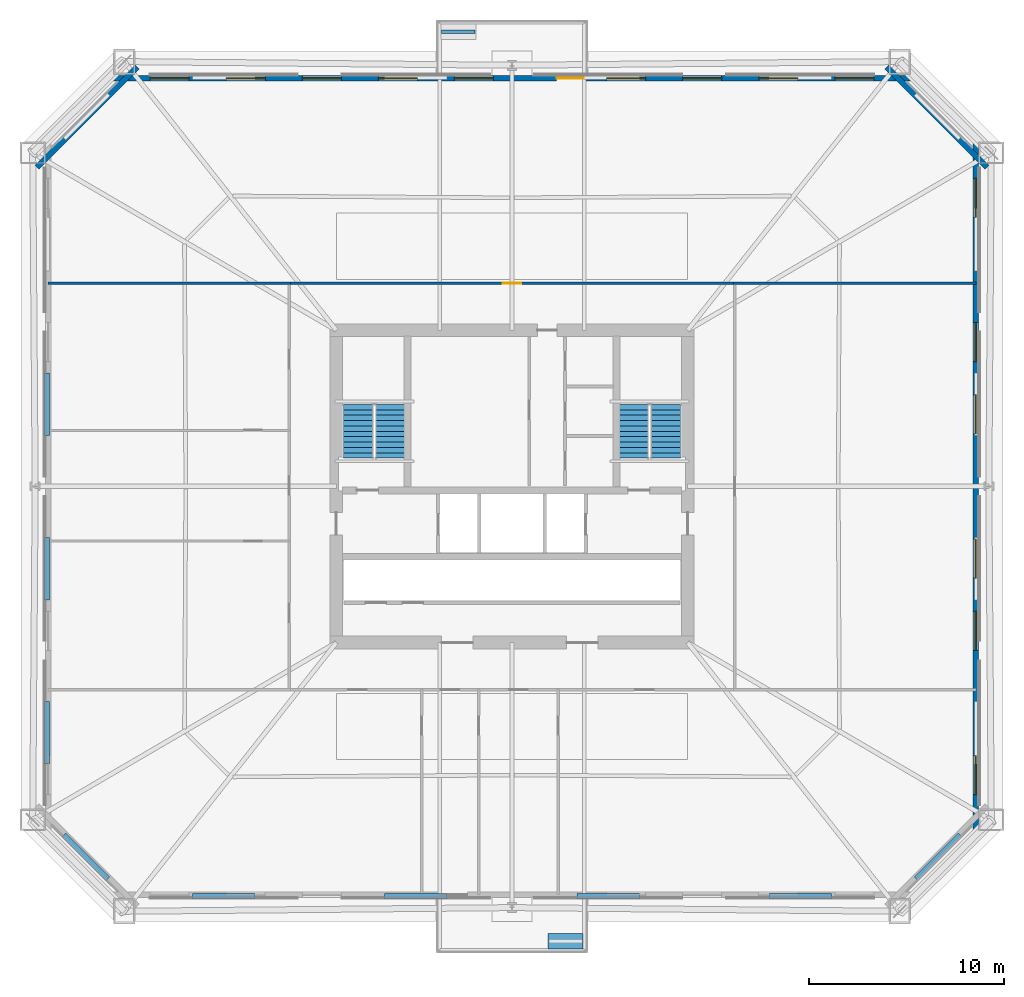
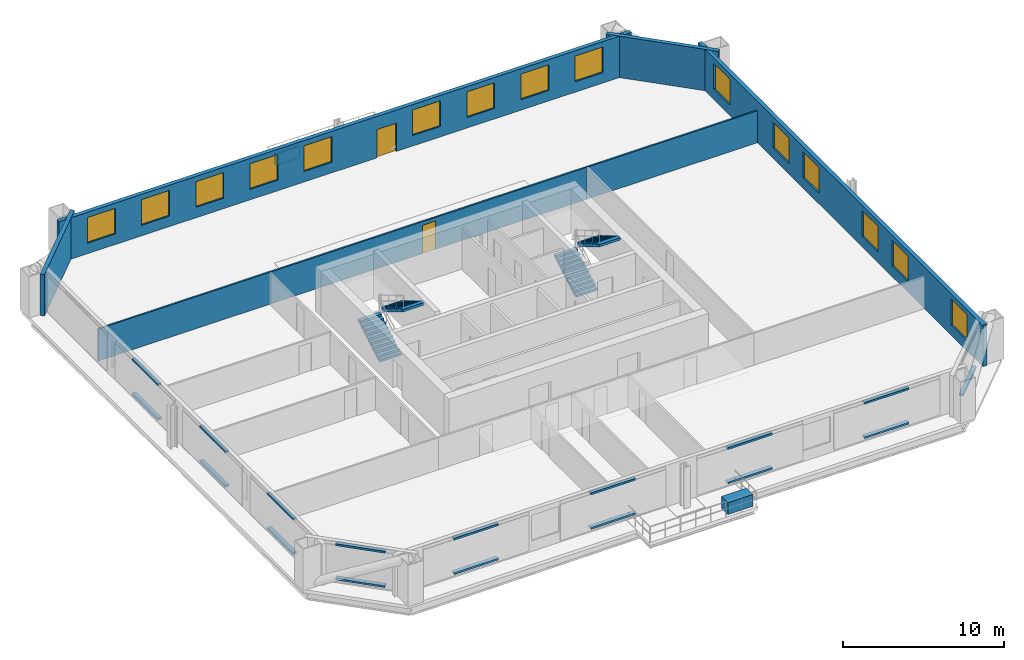
# One storey, part 5 of 8: 18 discrete accessories, 15 windows, 8 walls, 4 stair flights, 2 doors, 17 openings, 2 elements without a shape of their own.
"""IFC4 building model written with IfcOpenShell, lengths in metres."""

import ifcopenshell
import ifcopenshell.guid

model = None  # the IFC model being written
_history = None  # IfcOwnerHistory: only IFC2X3 demands one
_inside = {}  # id of a spatial element -> (the spatial element, [elements in it])
_under = {}  # id of a project, library or spatial element -> (it, [spatial elements below it])
_declared = {}  # id of a project -> (the project, [libraries it declares])
_typed = {}  # id of a type object -> (the type object, [elements of that type])
_made_of = {}  # id of a material, layer set ... -> (it, [elements and type objects made of it])


def new_model(schema):
    """Start an empty IFC model of exactly this schema.

    Asked for "IFC4X3", IfcOpenShell would pick the latest addendum, in which some entities
    have other attributes; the version numbers below select the first issue.
    IFC2X3 requires an IfcOwnerHistory on every rooted entity: one is made here for all.
    """
    global model, _history
    if schema == "IFC4X3":
        model = ifcopenshell.file(schema_version=(4, 3, 0, 0))
    else:
        model = ifcopenshell.file(schema=schema)
    _inside.clear()
    _under.clear()
    _declared.clear()
    _typed.clear()
    _made_of.clear()
    _history = None
    if model.schema == "IFC2X3":
        org = make("IfcOrganization", Name="unknown")
        user = make(
            "IfcPersonAndOrganization",
            ThePerson=make("IfcPerson", FamilyName="unknown"),
            TheOrganization=org,
        )
        app = make(
            "IfcApplication",
            ApplicationDeveloper=org,
            Version="unknown",
            ApplicationFullName="unknown",
            ApplicationIdentifier="unknown",
        )
        _history = make(
            "IfcOwnerHistory",
            OwningUser=user,
            OwningApplication=app,
            ChangeAction="ADDED",
            CreationDate=0,
        )
    return model


def make(cls, **values):
    """One entity of the class cls with the attributes given. An attribute that is None is left unset."""
    return model.create_entity(
        cls, **{name: value for name, value in values.items() if value is not None}
    )


def rooted(cls, **values):
    """An entity with a GlobalId (a new one), such as an element, a storey or a relation."""
    return make(cls, GlobalId=ifcopenshell.guid.new(), OwnerHistory=_history, **values)


def si_unit(unit_type, name, prefix=None):
    """IfcSIUnit, for example si_unit("LENGTHUNIT", "METRE", prefix="MILLI")."""
    return make("IfcSIUnit", UnitType=unit_type, Prefix=prefix, Name=name)


def assignment(units):
    """IfcUnitAssignment: the units of a project."""
    return None if units is None else make("IfcUnitAssignment", Units=units)


def point(xyz):
    """IfcCartesianPoint."""
    return None if xyz is None else make("IfcCartesianPoint", Coordinates=xyz)


def direction(xyz):
    """IfcDirection."""
    return None if xyz is None else make("IfcDirection", DirectionRatios=xyz)


def frame(location, z_axis=None, x_axis=None):
    """IfcAxis2Placement3D, a coordinate frame: its origin and axes. An axis left out is left unset."""
    return make(
        "IfcAxis2Placement3D",
        Location=point(location),
        Axis=direction(z_axis),
        RefDirection=direction(x_axis),
    )


def frame_2d(location, x_axis=None):
    """IfcAxis2Placement2D, a coordinate frame in the plane: its origin and x axis."""
    return make(
        "IfcAxis2Placement2D", Location=point(location), RefDirection=direction(x_axis)
    )


def origin():
    """The frame at (0, 0, 0) with its axes left unset."""
    return frame((0.0, 0.0, 0.0))


def origin_2d():
    """The frame at (0, 0) in the plane with its x axis left unset."""
    return frame_2d((0.0, 0.0))


def place(relative_to, where):
    """IfcLocalPlacement: puts the frame where relative to a parent placement (None: the world)."""
    return make(
        "IfcLocalPlacement", PlacementRelTo=relative_to, RelativePlacement=where
    )


def context(
    kind, dimensions, precision=None, world=None, true_north=None, identifier=None
):
    """IfcGeometricRepresentationContext, for example the 3D "Model" context."""
    return make(
        "IfcGeometricRepresentationContext",
        ContextIdentifier=identifier,
        ContextType=kind,
        CoordinateSpaceDimension=dimensions,
        Precision=precision,
        WorldCoordinateSystem=world,
        TrueNorth=true_north,
    )


def subcontext(parent, identifier, kind, view, scale=None):
    """IfcGeometricRepresentationSubContext, for example "Body" below "Model"."""
    return make(
        "IfcGeometricRepresentationSubContext",
        ContextIdentifier=identifier,
        ContextType=kind,
        ParentContext=parent,
        TargetScale=scale,
        TargetView=view,
    )


def project(units=None, contexts=None):
    """IfcProject with its units and contexts."""
    return rooted(
        "IfcProject",
        Name="project",
        RepresentationContexts=contexts,
        UnitsInContext=assignment(units),
    )


def spatial(cls, under=None, at=None, **own):
    """A site, building, storey or space (cls), placed at a placement, below another one or the project."""
    s = rooted(cls, ObjectPlacement=at, **own)
    if under is not None:
        _under.setdefault(under.id(), (under, []))[1].append(s)
    return s


def polyline(points):
    """IfcPolyline through the points."""
    return make("IfcPolyline", Points=[point(p) for p in points])


def profile(cls, at=None, kind="AREA", **sizes):
    """A parametric profile (cls). Its sizes go by their IFC names, for example OverallWidth=200.0."""
    return make(cls, ProfileType=kind, Position=at, **sizes)


def rectangle(**sizes):
    """IfcRectangleProfileDef."""
    return profile("IfcRectangleProfileDef", **sizes)


def outline(outer, holes=None, kind="AREA"):
    """IfcArbitraryClosedProfileDef: a profile drawn as a closed curve; with holes, ...WithVoids."""
    if holes is None:
        return make("IfcArbitraryClosedProfileDef", ProfileType=kind, OuterCurve=outer)
    return make(
        "IfcArbitraryProfileDefWithVoids",
        ProfileType=kind,
        OuterCurve=outer,
        InnerCurves=holes,
    )


def extrude(swept, where, along, depth):
    """IfcExtrudedAreaSolid: the profile swept, set in the frame where, extruded along a direction by depth."""
    return make(
        "IfcExtrudedAreaSolid",
        SweptArea=swept,
        Position=where,
        ExtrudedDirection=direction(along),
        Depth=depth,
    )


def shape(context_of_items, identifier, shape_type, items):
    """IfcShapeRepresentation: the items that make up one representation, for example the "Body"."""
    return make(
        "IfcShapeRepresentation",
        ContextOfItems=context_of_items,
        RepresentationIdentifier=identifier,
        RepresentationType=shape_type,
        Items=items,
    )


def material(Name=None, Category=None):
    """IfcMaterial."""
    return make("IfcMaterial", Name=Name, Category=Category)


def layer(
    of_material, thickness, ventilated=None, Name=None, Category=None, Priority=None
):
    """IfcMaterialLayer: one layer of a wall or slab, of a material (None: an air gap)."""
    return make(
        "IfcMaterialLayer",
        Material=of_material,
        LayerThickness=thickness,
        IsVentilated=ventilated,
        Name=Name,
        Category=Category,
        Priority=Priority,
    )


def layer_set(layers, Name=None):
    """IfcMaterialLayerSet."""
    return make("IfcMaterialLayerSet", MaterialLayers=layers, LayerSetName=Name)


def made_of(thing, what):
    """Note that an element or type object is made of a material, layer set ...; save() writes the relation."""
    if what is not None:
        _made_of.setdefault(what.id(), (what, []))[1].append(thing)
    return thing


def type_object(cls, material=None, **own):
    """A type object (cls), such as IfcWallType, which elements share."""
    return made_of(rooted(cls, **own), material)


def element(
    cls,
    number,
    at=None,
    inside=None,
    cuts=None,
    type_object=None,
    material=None,
    context=None,
    identifier="Body",
    shape_type=None,
    held_by="IfcProductDefinitionShape",
    body=None,
    shapes=None,
    **own,
):
    """One element of the class cls, such as IfcWall. Its Tag is "e" and its number.

    at: its placement. inside: the storey or other place that contains it. cuts: it is an
    opening in that element (IfcRelVoidsElement). A single representation is given by context,
    identifier, shape_type and body (its items); several are given by shapes. held_by: the class
    of the entity that holds the representations. save() writes the other relations.
    """
    e = rooted(cls, Tag="e%d" % number, ObjectPlacement=at, **own)
    if body is not None:
        shapes = [shape(context, identifier, shape_type, body)]
    if shapes is not None:
        e.Representation = make(held_by, Representations=shapes)
    if inside is not None:
        _inside.setdefault(inside.id(), (inside, []))[1].append(e)
    if cuts is not None:
        rooted(
            "IfcRelVoidsElement", RelatingBuildingElement=cuts, RelatedOpeningElement=e
        )
    if type_object is not None:
        _typed.setdefault(type_object.id(), (type_object, []))[1].append(e)
    return made_of(e, material)


def fill(opening, filler):
    """IfcRelFillsElement: the door or window that sits in an opening."""
    return rooted(
        "IfcRelFillsElement",
        RelatingOpeningElement=opening,
        RelatedBuildingElement=filler,
    )


def aggregate(whole, parts):
    """IfcRelAggregates: a whole, such as a stair, and the parts it consists of."""
    return rooted("IfcRelAggregates", RelatingObject=whole, RelatedObjects=parts)


def save(model, path):
    """Write the relations noted so far, then the file.

    IfcRelAggregates (storeys below a building ...), IfcRelContainedInSpatialStructure (elements
    in a storey), IfcRelDefinesByType, IfcRelAssociatesMaterial and IfcRelDeclares: one each for
    every whole, place, type object, material and project.
    """
    for whole, parts in _under.values():
        aggregate(whole, parts)
    for where, things in _inside.values():
        rooted(
            "IfcRelContainedInSpatialStructure",
            RelatedElements=things,
            RelatingStructure=where,
        )
    for kind, things in _typed.values():
        rooted("IfcRelDefinesByType", RelatedObjects=things, RelatingType=kind)
    for what, things in _made_of.values():
        rooted("IfcRelAssociatesMaterial", RelatedObjects=things, RelatingMaterial=what)
    for by, libraries in _declared.values():
        rooted("IfcRelDeclares", RelatingContext=by, RelatedDefinitions=libraries)
    model.write(path)


model = new_model("IFC4")

# Units and contexts
model_context = context("Model", 3, precision=1e-05, world=origin(), true_north=direction((0.0, 1.0)))
body_context = subcontext(model_context, "Body", "Model", "MODEL_VIEW")
ifc_project = project(units=[si_unit("LENGTHUNIT", "METRE"), si_unit("AREAUNIT", "SQUARE_METRE"), si_unit("VOLUMEUNIT", "CUBIC_METRE"), si_unit("PLANEANGLEUNIT", "RADIAN"), si_unit("MASSUNIT", "GRAM", prefix="KILO")], contexts=[model_context])

# Site, building, storey
site_placement = place(None, origin())
site = spatial("IfcSite", under=ifc_project, at=site_placement, CompositionType="ELEMENT")
building_placement = place(site_placement, origin())
building = spatial("IfcBuilding", under=site, at=building_placement, Name="Caelvoria Tower", CompositionType="ELEMENT")
storey_placement = place(building_placement, frame((0.0, 0.0, 42.39990234375)))
storey = spatial("IfcBuildingStorey", under=building, at=storey_placement, Name="L10", CompositionType="ELEMENT", Elevation=42.39990234375)

# Wall
ifc_material_1 = material(Name="Bronze-Clad Concrete C40/50", Category="concrete")
ifc_layer_1 = layer(ifc_material_1, 0.179931640625, Name="Bronze-Clad Concrete C40/50")
ifc_layer_set_1 = layer_set([ifc_layer_1], Name="Architectural Planter Kerb Wall 180 - Bronze-Clad Concrete C40/50")
wall_type_1 = type_object("IfcWallType", Name="Architectural Planter Kerb Wall 180", PredefinedType="PARAPET", material=ifc_layer_set_1)
wall_1_placement = place(storey_placement, frame((42.39990234375, 55.300048828125, 0.0), z_axis=(0.0, 0.0, 1.0), x_axis=(1.0, 0.0, 0.0)))
element("IfcWall", 1, at=wall_1_placement, inside=storey, type_object=wall_type_1, Name="Tree Balcony Planter Kerb PLANTER TB-L10-N", PredefinedType="PARAPET", context=body_context, shape_type="SweptSolid", body=[
    extrude(rectangle(XDim=1.7001953125, YDim=0.179931640625, at=frame_2d((0.85009765625, 0.0))), origin(), (0.0, 0.0, 1.0), 0.880126953125),
])

# Wall, openings, windows
ifc_material_2 = material(Name="Precast Concrete C40/50 with Bronze Cladding", Category="concrete")
ifc_layer_2 = layer(ifc_material_2, 0.280029296875, Name="Precast Concrete C40/50 with Bronze Cladding")
ifc_layer_set_2 = layer_set([ifc_layer_2], Name="Exterior Precast Concrete C40/50 Bronze-Clad Facade Wall 280 - Precast Concrete C40/50 with Bronze Cladding")
wall_type_2 = type_object("IfcWallType", Name="Exterior Precast Concrete C40/50 Bronze-Clad Facade Wall 280", PredefinedType="STANDARD", material=ifc_layer_set_2)
wall_2_placement = place(storey_placement, frame((69.77001953125, 14.260009765625, 0.0), z_axis=(0.0, 0.0, 1.0), x_axis=(0.0, 1.0, 0.0)))
wall_2 = element("IfcWall", 2, at=wall_2_placement, inside=storey, type_object=wall_type_2, Name="Exterior Facade Wall L10-E2", PredefinedType="STANDARD", context=body_context, shape_type="SweptSolid", body=[
    extrude(rectangle(XDim=35.47998046875, YDim=0.280029296875, at=frame_2d((17.739990234375, 0.0))), origin(), (0.0, 0.0, 1.0), 3.150146484375),
])
opening_1_placement = place(wall_2_placement, frame((1.948974609375, 0.0, 0.800048828125)))
opening_1 = element("IfcOpeningElement", 3, at=opening_1_placement, cuts=wall_2, Name="Opening WN-01", PredefinedType="OPENING", context=body_context, shape_type="SweptSolid", body=[
    extrude(rectangle(XDim=2.0, YDim=1.949951171875, at=frame_2d((1.0, 0.97509765625))), frame((0.0, 0.14990234375, 0.0), z_axis=(0.0, -1.0, 0.0), x_axis=(1.0, 0.0, 0.0)), (0.0, 0.0, 1.0), 0.300048828125),
])
opening_2_placement = place(wall_2_placement, frame((9.344482421875, 0.0, 0.800048828125)))
opening_2 = element("IfcOpeningElement", 4, at=opening_2_placement, cuts=wall_2, Name="Opening WN-01", PredefinedType="OPENING", context=body_context, shape_type="SweptSolid", body=[
    extrude(rectangle(XDim=2.0, YDim=1.949951171875, at=frame_2d((1.0, 0.97509765625))), frame((0.0, 0.14990234375, 0.0), z_axis=(0.0, -1.0, 0.0), x_axis=(1.0, 0.0, 0.0)), (0.0, 0.0, 1.0), 0.300048828125),
])
opening_3_placement = place(wall_2_placement, frame((13.042236328125, 0.0, 0.800048828125)))
opening_3 = element("IfcOpeningElement", 5, at=opening_3_placement, cuts=wall_2, Name="Opening WN-01", PredefinedType="OPENING", context=body_context, shape_type="SweptSolid", body=[
    extrude(rectangle(XDim=2.0, YDim=1.949951171875, at=frame_2d((1.0, 0.97509765625))), frame((0.0, 0.14990234375, 0.0), z_axis=(0.0, -1.0, 0.0), x_axis=(1.0, 0.0, 0.0)), (0.0, 0.0, 1.0), 0.300048828125),
])
opening_4_placement = place(wall_2_placement, frame((20.437744140625, 0.0, 0.800048828125)))
opening_4 = element("IfcOpeningElement", 6, at=opening_4_placement, cuts=wall_2, Name="Opening WN-01", PredefinedType="OPENING", context=body_context, shape_type="SweptSolid", body=[
    extrude(rectangle(XDim=2.0, YDim=1.949951171875, at=frame_2d((1.0, 0.97509765625))), frame((0.0, 0.14990234375, 0.0), z_axis=(0.0, -1.0, 0.0), x_axis=(1.0, 0.0, 0.0)), (0.0, 0.0, 1.0), 0.300048828125),
])
opening_5_placement = place(wall_2_placement, frame((24.135498046875, 0.0, 0.800048828125)))
opening_5 = element("IfcOpeningElement", 7, at=opening_5_placement, cuts=wall_2, Name="Opening WN-01", PredefinedType="OPENING", context=body_context, shape_type="SweptSolid", body=[
    extrude(rectangle(XDim=2.0, YDim=1.949951171875, at=frame_2d((1.0, 0.97509765625))), frame((0.0, 0.14990234375, 0.0), z_axis=(0.0, -1.0, 0.0), x_axis=(1.0, 0.0, 0.0)), (0.0, 0.0, 1.0), 0.300048828125),
])
opening_6_placement = place(wall_2_placement, frame((31.531005859375, 0.0, 0.800048828125)))
opening_6 = element("IfcOpeningElement", 8, at=opening_6_placement, cuts=wall_2, Name="Opening WN-01", PredefinedType="OPENING", context=body_context, shape_type="SweptSolid", body=[
    extrude(rectangle(XDim=2.0, YDim=1.949951171875, at=frame_2d((1.0, 0.97509765625))), frame((0.0, 0.14990234375, 0.0), z_axis=(0.0, -1.0, 0.0), x_axis=(1.0, 0.0, 0.0)), (0.0, 0.0, 1.0), 0.300048828125),
])
ifc_material_3 = material(Name="Low-E Tinted Glass in Bronze Aluminium Frame", Category="aluminium")
window_type = type_object("IfcWindowType", Name="Tower Office Vision Window 2000x1950", PartitioningType="SINGLE_PANEL", PredefinedType="WINDOW", material=ifc_material_3)
window_1_placement = place(opening_1_placement, origin())
window_1 = element("IfcWindow", 9, at=window_1_placement, inside=storey, type_object=window_type, Name="Facade Window L10-E2-00", OverallHeight=1.949951171875, OverallWidth=2.0, PartitioningType="SINGLE_PANEL", PredefinedType="WINDOW", context=body_context, shape_type="SweptSolid", body=[
    extrude(rectangle(XDim=2.0, YDim=1.949951171875, at=frame_2d((1.0, 0.97509765625))), frame((0.0, 0.030029296875, 0.0), z_axis=(0.0, -1.0, 0.0), x_axis=(1.0, 0.0, 0.0)), (0.0, 0.0, 1.0), 0.06005859375),
])
fill(opening_1, window_1)
window_2_placement = place(opening_2_placement, origin())
window_2 = element("IfcWindow", 10, at=window_2_placement, inside=storey, type_object=window_type, Name="Facade Window L10-E2-02", OverallHeight=1.949951171875, OverallWidth=2.0, PartitioningType="SINGLE_PANEL", PredefinedType="WINDOW", context=body_context, shape_type="SweptSolid", body=[
    extrude(rectangle(XDim=2.0, YDim=1.949951171875, at=frame_2d((1.0, 0.97509765625))), frame((0.0, 0.030029296875, 0.0), z_axis=(0.0, -1.0, 0.0), x_axis=(1.0, 0.0, 0.0)), (0.0, 0.0, 1.0), 0.06005859375),
])
fill(opening_2, window_2)
window_3_placement = place(opening_3_placement, origin())
window_3 = element("IfcWindow", 11, at=window_3_placement, inside=storey, type_object=window_type, Name="Facade Window L10-E2-03", OverallHeight=1.949951171875, OverallWidth=2.0, PartitioningType="SINGLE_PANEL", PredefinedType="WINDOW", context=body_context, shape_type="SweptSolid", body=[
    extrude(rectangle(XDim=2.0, YDim=1.949951171875, at=frame_2d((1.0, 0.97509765625))), frame((0.0, 0.030029296875, 0.0), z_axis=(0.0, -1.0, 0.0), x_axis=(1.0, 0.0, 0.0)), (0.0, 0.0, 1.0), 0.06005859375),
])
fill(opening_3, window_3)
window_4_placement = place(opening_4_placement, origin())
window_4 = element("IfcWindow", 12, at=window_4_placement, inside=storey, type_object=window_type, Name="Facade Window L10-E2-05", OverallHeight=1.949951171875, OverallWidth=2.0, PartitioningType="SINGLE_PANEL", PredefinedType="WINDOW", context=body_context, shape_type="SweptSolid", body=[
    extrude(rectangle(XDim=2.0, YDim=1.949951171875, at=frame_2d((1.0, 0.97509765625))), frame((0.0, 0.030029296875, 0.0), z_axis=(0.0, -1.0, 0.0), x_axis=(1.0, 0.0, 0.0)), (0.0, 0.0, 1.0), 0.06005859375),
])
fill(opening_4, window_4)
window_5_placement = place(opening_5_placement, origin())
window_5 = element("IfcWindow", 13, at=window_5_placement, inside=storey, type_object=window_type, Name="Facade Window L10-E2-06", OverallHeight=1.949951171875, OverallWidth=2.0, PartitioningType="SINGLE_PANEL", PredefinedType="WINDOW", context=body_context, shape_type="SweptSolid", body=[
    extrude(rectangle(XDim=2.0, YDim=1.949951171875, at=frame_2d((1.0, 0.97509765625))), frame((0.0, 0.030029296875, 0.0), z_axis=(0.0, -1.0, 0.0), x_axis=(1.0, 0.0, 0.0)), (0.0, 0.0, 1.0), 0.06005859375),
])
fill(opening_5, window_5)
window_6_placement = place(opening_6_placement, origin())
window_6 = element("IfcWindow", 14, at=window_6_placement, inside=storey, type_object=window_type, Name="Facade Window L10-E2-08", OverallHeight=1.949951171875, OverallWidth=2.0, PartitioningType="SINGLE_PANEL", PredefinedType="WINDOW", context=body_context, shape_type="SweptSolid", body=[
    extrude(rectangle(XDim=2.0, YDim=1.949951171875, at=frame_2d((1.0, 0.97509765625))), frame((0.0, 0.030029296875, 0.0), z_axis=(0.0, -1.0, 0.0), x_axis=(1.0, 0.0, 0.0)), (0.0, 0.0, 1.0), 0.06005859375),
])
fill(opening_6, window_6)

# Wall
wall_3_placement = place(storey_placement, frame((70.343994140625, 48.3544921875, 0.0), z_axis=(0.0, 0.0, 1.0), x_axis=(-0.707106781187, 0.707106781187, 0.0)))
element("IfcWall", 15, at=wall_3_placement, inside=storey, type_object=wall_type_2, Name="Exterior Facade Wall L10-E3", PredefinedType="STANDARD", context=body_context, shape_type="SweptSolid", body=[
    extrude(rectangle(XDim=7.268310546875, YDim=0.280029296875, at=frame_2d((3.63427734375, 0.0))), origin(), (0.0, 0.0, 1.0), 3.150146484375),
])

# Wall, openings, windows, door
wall_4_placement = place(storey_placement, frame((66.590087890625, 52.919921875, 0.0), z_axis=(0.0, 0.0, 1.0), x_axis=(-1.0, 0.0, 0.0)))
wall_4 = element("IfcWall", 16, at=wall_4_placement, inside=storey, type_object=wall_type_2, Name="Exterior Facade Wall L10-E4", PredefinedType="STANDARD", context=body_context, shape_type="SweptSolid", body=[
    extrude(rectangle(XDim=41.18017578125, YDim=0.280029296875, at=frame_2d((20.590087890625, 0.0))), origin(), (0.0, 0.0, 1.0), 3.150146484375),
])
opening_7_placement = place(wall_4_placement, frame((16.909912109375, 0.0, 0.0)))
opening_7 = element("IfcOpeningElement", 17, at=opening_7_placement, cuts=wall_4, Name="Opening ED-04", PredefinedType="OPENING", context=body_context, shape_type="SweptSolid", body=[
    extrude(rectangle(XDim=1.39990234375, YDim=2.14990234375, at=frame_2d((0.699951171875, 1.074951171875))), frame((0.0, 0.14990234375, 0.0), z_axis=(0.0, -1.0, 0.0), x_axis=(1.0, 0.0, 0.0)), (0.0, 0.0, 1.0), 0.300048828125),
])
opening_8_placement = place(wall_4_placement, frame((2.049072265625, 0.0, 0.800048828125)))
opening_8 = element("IfcOpeningElement", 18, at=opening_8_placement, cuts=wall_4, Name="Opening WN-01", PredefinedType="OPENING", context=body_context, shape_type="SweptSolid", body=[
    extrude(rectangle(XDim=2.0, YDim=1.949951171875, at=frame_2d((1.0, 0.97509765625))), frame((0.0, 0.14990234375, 0.0), z_axis=(0.0, -1.0, 0.0), x_axis=(1.0, 0.0, 0.0)), (0.0, 0.0, 1.0), 0.300048828125),
])
opening_9_placement = place(wall_4_placement, frame((5.947021484375, 0.0, 0.800048828125)))
opening_9 = element("IfcOpeningElement", 19, at=opening_9_placement, cuts=wall_4, Name="Opening WN-01", PredefinedType="OPENING", context=body_context, shape_type="SweptSolid", body=[
    extrude(rectangle(XDim=2.0, YDim=1.949951171875, at=frame_2d((1.0, 0.97509765625))), frame((0.0, 0.14990234375, 0.0), z_axis=(0.0, -1.0, 0.0), x_axis=(1.0, 0.0, 0.0)), (0.0, 0.0, 1.0), 0.300048828125),
])
opening_10_placement = place(wall_4_placement, frame((9.844970703125, 0.0, 0.800048828125)))
opening_10 = element("IfcOpeningElement", 20, at=opening_10_placement, cuts=wall_4, Name="Opening WN-01", PredefinedType="OPENING", context=body_context, shape_type="SweptSolid", body=[
    extrude(rectangle(XDim=2.0, YDim=1.949951171875, at=frame_2d((1.0, 0.97509765625))), frame((0.0, 0.14990234375, 0.0), z_axis=(0.0, -1.0, 0.0), x_axis=(1.0, 0.0, 0.0)), (0.0, 0.0, 1.0), 0.300048828125),
])
opening_11_placement = place(wall_4_placement, frame((13.742919921875, 0.0, 0.800048828125)))
opening_11 = element("IfcOpeningElement", 21, at=opening_11_placement, cuts=wall_4, Name="Opening WN-01", PredefinedType="OPENING", context=body_context, shape_type="SweptSolid", body=[
    extrude(rectangle(XDim=2.0, YDim=1.949951171875, at=frame_2d((1.0, 0.97509765625))), frame((0.0, 0.14990234375, 0.0), z_axis=(0.0, -1.0, 0.0), x_axis=(1.0, 0.0, 0.0)), (0.0, 0.0, 1.0), 0.300048828125),
])
opening_12_placement = place(wall_4_placement, frame((21.5390625, 0.0, 0.800048828125)))
opening_12 = element("IfcOpeningElement", 22, at=opening_12_placement, cuts=wall_4, Name="Opening WN-01", PredefinedType="OPENING", context=body_context, shape_type="SweptSolid", body=[
    extrude(rectangle(XDim=2.0, YDim=1.949951171875, at=frame_2d((1.0, 0.97509765625))), frame((0.0, 0.14990234375, 0.0), z_axis=(0.0, -1.0, 0.0), x_axis=(1.0, 0.0, 0.0)), (0.0, 0.0, 1.0), 0.300048828125),
])
opening_13_placement = place(wall_4_placement, frame((25.43701171875, 0.0, 0.800048828125)))
opening_13 = element("IfcOpeningElement", 23, at=opening_13_placement, cuts=wall_4, Name="Opening WN-01", PredefinedType="OPENING", context=body_context, shape_type="SweptSolid", body=[
    extrude(rectangle(XDim=2.0, YDim=1.949951171875, at=frame_2d((1.0, 0.97509765625))), frame((0.0, 0.14990234375, 0.0), z_axis=(0.0, -1.0, 0.0), x_axis=(1.0, 0.0, 0.0)), (0.0, 0.0, 1.0), 0.300048828125),
])
opening_14_placement = place(wall_4_placement, frame((29.3349609375, 0.0, 0.800048828125)))
opening_14 = element("IfcOpeningElement", 24, at=opening_14_placement, cuts=wall_4, Name="Opening WN-01", PredefinedType="OPENING", context=body_context, shape_type="SweptSolid", body=[
    extrude(rectangle(XDim=2.0, YDim=1.949951171875, at=frame_2d((1.0, 0.97509765625))), frame((0.0, 0.14990234375, 0.0), z_axis=(0.0, -1.0, 0.0), x_axis=(1.0, 0.0, 0.0)), (0.0, 0.0, 1.0), 0.300048828125),
])
opening_15_placement = place(wall_4_placement, frame((33.23291015625, 0.0, 0.800048828125)))
opening_15 = element("IfcOpeningElement", 25, at=opening_15_placement, cuts=wall_4, Name="Opening WN-01", PredefinedType="OPENING", context=body_context, shape_type="SweptSolid", body=[
    extrude(rectangle(XDim=2.0, YDim=1.949951171875, at=frame_2d((1.0, 0.97509765625))), frame((0.0, 0.14990234375, 0.0), z_axis=(0.0, -1.0, 0.0), x_axis=(1.0, 0.0, 0.0)), (0.0, 0.0, 1.0), 0.300048828125),
])
opening_16_placement = place(wall_4_placement, frame((37.131103515625, 0.0, 0.800048828125)))
opening_16 = element("IfcOpeningElement", 26, at=opening_16_placement, cuts=wall_4, Name="Opening WN-01", PredefinedType="OPENING", context=body_context, shape_type="SweptSolid", body=[
    extrude(rectangle(XDim=2.0, YDim=1.949951171875, at=frame_2d((1.0, 0.97509765625))), frame((0.0, 0.14990234375, 0.0), z_axis=(0.0, -1.0, 0.0), x_axis=(1.0, 0.0, 0.0)), (0.0, 0.0, 1.0), 0.300048828125),
])
window_7_placement = place(opening_8_placement, origin())
window_7 = element("IfcWindow", 27, at=window_7_placement, inside=storey, type_object=window_type, Name="Facade Window L10-E4-00", OverallHeight=1.949951171875, OverallWidth=2.0, PartitioningType="SINGLE_PANEL", PredefinedType="WINDOW", context=body_context, shape_type="SweptSolid", body=[
    extrude(rectangle(XDim=2.0, YDim=1.949951171875, at=frame_2d((1.0, 0.97509765625))), frame((0.0, 0.030029296875, 0.0), z_axis=(0.0, -1.0, 0.0), x_axis=(1.0, 0.0, 0.0)), (0.0, 0.0, 1.0), 0.06005859375),
])
fill(opening_8, window_7)
window_8_placement = place(opening_9_placement, origin())
window_8 = element("IfcWindow", 28, at=window_8_placement, inside=storey, type_object=window_type, Name="Facade Window L10-E4-01", OverallHeight=1.949951171875, OverallWidth=2.0, PartitioningType="SINGLE_PANEL", PredefinedType="WINDOW", context=body_context, shape_type="SweptSolid", body=[
    extrude(rectangle(XDim=2.0, YDim=1.949951171875, at=frame_2d((1.0, 0.97509765625))), frame((0.0, 0.030029296875, 0.0), z_axis=(0.0, -1.0, 0.0), x_axis=(1.0, 0.0, 0.0)), (0.0, 0.0, 1.0), 0.06005859375),
])
fill(opening_9, window_8)
window_9_placement = place(opening_10_placement, origin())
window_9 = element("IfcWindow", 29, at=window_9_placement, inside=storey, type_object=window_type, Name="Facade Window L10-E4-02", OverallHeight=1.949951171875, OverallWidth=2.0, PartitioningType="SINGLE_PANEL", PredefinedType="WINDOW", context=body_context, shape_type="SweptSolid", body=[
    extrude(rectangle(XDim=2.0, YDim=1.949951171875, at=frame_2d((1.0, 0.97509765625))), frame((0.0, 0.030029296875, 0.0), z_axis=(0.0, -1.0, 0.0), x_axis=(1.0, 0.0, 0.0)), (0.0, 0.0, 1.0), 0.06005859375),
])
fill(opening_10, window_9)
window_10_placement = place(opening_11_placement, origin())
window_10 = element("IfcWindow", 30, at=window_10_placement, inside=storey, type_object=window_type, Name="Facade Window L10-E4-03", OverallHeight=1.949951171875, OverallWidth=2.0, PartitioningType="SINGLE_PANEL", PredefinedType="WINDOW", context=body_context, shape_type="SweptSolid", body=[
    extrude(rectangle(XDim=2.0, YDim=1.949951171875, at=frame_2d((1.0, 0.97509765625))), frame((0.0, 0.030029296875, 0.0), z_axis=(0.0, -1.0, 0.0), x_axis=(1.0, 0.0, 0.0)), (0.0, 0.0, 1.0), 0.06005859375),
])
fill(opening_11, window_10)
window_11_placement = place(opening_12_placement, origin())
window_11 = element("IfcWindow", 31, at=window_11_placement, inside=storey, type_object=window_type, Name="Facade Window L10-E4-05", OverallHeight=1.949951171875, OverallWidth=2.0, PartitioningType="SINGLE_PANEL", PredefinedType="WINDOW", context=body_context, shape_type="SweptSolid", body=[
    extrude(rectangle(XDim=2.0, YDim=1.949951171875, at=frame_2d((1.0, 0.97509765625))), frame((0.0, 0.030029296875, 0.0), z_axis=(0.0, -1.0, 0.0), x_axis=(1.0, 0.0, 0.0)), (0.0, 0.0, 1.0), 0.06005859375),
])
fill(opening_12, window_11)
window_12_placement = place(opening_13_placement, origin())
window_12 = element("IfcWindow", 32, at=window_12_placement, inside=storey, type_object=window_type, Name="Facade Window L10-E4-06", OverallHeight=1.949951171875, OverallWidth=2.0, PartitioningType="SINGLE_PANEL", PredefinedType="WINDOW", context=body_context, shape_type="SweptSolid", body=[
    extrude(rectangle(XDim=2.0, YDim=1.949951171875, at=frame_2d((1.0, 0.97509765625))), frame((0.0, 0.030029296875, 0.0), z_axis=(0.0, -1.0, 0.0), x_axis=(1.0, 0.0, 0.0)), (0.0, 0.0, 1.0), 0.06005859375),
])
fill(opening_13, window_12)
window_13_placement = place(opening_14_placement, origin())
window_13 = element("IfcWindow", 33, at=window_13_placement, inside=storey, type_object=window_type, Name="Facade Window L10-E4-07", OverallHeight=1.949951171875, OverallWidth=2.0, PartitioningType="SINGLE_PANEL", PredefinedType="WINDOW", context=body_context, shape_type="SweptSolid", body=[
    extrude(rectangle(XDim=2.0, YDim=1.949951171875, at=frame_2d((1.0, 0.97509765625))), frame((0.0, 0.030029296875, 0.0), z_axis=(0.0, -1.0, 0.0), x_axis=(1.0, 0.0, 0.0)), (0.0, 0.0, 1.0), 0.06005859375),
])
fill(opening_14, window_13)
window_14_placement = place(opening_15_placement, origin())
window_14 = element("IfcWindow", 34, at=window_14_placement, inside=storey, type_object=window_type, Name="Facade Window L10-E4-08", OverallHeight=1.949951171875, OverallWidth=2.0, PartitioningType="SINGLE_PANEL", PredefinedType="WINDOW", context=body_context, shape_type="SweptSolid", body=[
    extrude(rectangle(XDim=2.0, YDim=1.949951171875, at=frame_2d((1.0, 0.97509765625))), frame((0.0, 0.030029296875, 0.0), z_axis=(0.0, -1.0, 0.0), x_axis=(1.0, 0.0, 0.0)), (0.0, 0.0, 1.0), 0.06005859375),
])
fill(opening_15, window_14)
window_15_placement = place(opening_16_placement, origin())
window_15 = element("IfcWindow", 35, at=window_15_placement, inside=storey, type_object=window_type, Name="Facade Window L10-E4-09", OverallHeight=1.949951171875, OverallWidth=2.0, PartitioningType="SINGLE_PANEL", PredefinedType="WINDOW", context=body_context, shape_type="SweptSolid", body=[
    extrude(rectangle(XDim=2.0, YDim=1.949951171875, at=frame_2d((1.0, 0.97509765625))), frame((0.0, 0.030029296875, 0.0), z_axis=(0.0, -1.0, 0.0), x_axis=(1.0, 0.0, 0.0)), (0.0, 0.0, 1.0), 0.06005859375),
])
fill(opening_16, window_15)
ifc_material_4 = material(Name="Anodised Bronze Aluminium and Laminated Glass", Category="aluminium")
door_type_1 = type_object("IfcDoorType", Name="Tree Balcony Glazed Door 1400x2150", OperationType="NOTDEFINED", PredefinedType="DOOR", material=ifc_material_4)
door_1_placement = place(opening_7_placement, origin())
door_1 = element("IfcDoor", 36, at=door_1_placement, inside=storey, type_object=door_type_1, Name="Tree Balcony Door L10-N", OperationType="SINGLE_SWING_LEFT", OverallHeight=2.14990234375, OverallWidth=1.39990234375, PredefinedType="DOOR", context=body_context, shape_type="SweptSolid", body=[
    extrude(rectangle(XDim=1.39990234375, YDim=2.14990234375, at=frame_2d((0.699951171875, 1.074951171875))), frame((0.0, 0.02490234375, 0.0), z_axis=(0.0, -1.0, 0.0), x_axis=(1.0, 0.0, 0.0)), (0.0, 0.0, 1.0), 0.050048828125),
])
fill(opening_7, door_1)

# Wall
wall_5_placement = place(storey_placement, frame((26.79541015625, 53.493896484375, 0.0), z_axis=(0.0, 0.0, 1.0), x_axis=(-0.707106781187, -0.707106781187, 0.0)))
element("IfcWall", 37, at=wall_5_placement, inside=storey, type_object=wall_type_2, Name="Exterior Facade Wall L10-E5", PredefinedType="STANDARD", context=body_context, shape_type="SweptSolid", body=[
    extrude(rectangle(XDim=7.268310546875, YDim=0.280029296875, at=frame_2d((3.63427734375, 0.0))), origin(), (0.0, 0.0, 1.0), 3.150146484375),
])

# Wall, opening, door
ifc_material_5 = material(Name="Acoustic Gypsum Board on Light-Gauge Stud", Category="gypsum")
ifc_layer_3 = layer(ifc_material_5, 0.1201171875, Name="Acoustic Gypsum Board on Light-Gauge Stud")
ifc_layer_set_3 = layer_set([ifc_layer_3], Name="Tenant Suite Acoustic Partition Wall 120 - Acoustic Gypsum Board on Light-Gauge Stud")
wall_type_3 = type_object("IfcWallType", Name="Tenant Suite Acoustic Partition Wall 120", PredefinedType="PARTITIONING", material=ifc_layer_set_3)
wall_6_placement = place(storey_placement, frame((34.64990234375, 42.409912109375, 0.0), z_axis=(0.0, 0.0, 1.0), x_axis=(1.0, 0.0, 0.0)))
wall_6 = element("IfcWall", 38, at=wall_6_placement, inside=storey, type_object=wall_type_3, Name="Interior Partition IW-L10-NCW-0", PredefinedType="PARTITIONING", context=body_context, shape_type="SweptSolid", body=[
    extrude(rectangle(XDim=22.7001953125, YDim=0.1201171875, at=frame_2d((11.35009765625, 0.0))), origin(), (0.0, 0.0, 1.0), 2.43017578125),
])
opening_17_placement = place(wall_6_placement, frame((10.875, 0.0, 0.0)))
opening_17 = element("IfcOpeningElement", 39, at=opening_17_placement, cuts=wall_6, Name="Opening ID-05", PredefinedType="OPENING", context=body_context, shape_type="SweptSolid", body=[
    extrude(rectangle(XDim=0.949951171875, YDim=2.14990234375, at=frame_2d((0.47509765625, 1.074951171875))), frame((0.0, 0.070068359375, 0.0), z_axis=(0.0, -1.0, 0.0), x_axis=(1.0, 0.0, 0.0)), (0.0, 0.0, 1.0), 0.14013671875),
])
ifc_material_6 = material(Name="Engineered Andean Oak Veneer Door", Category="wood")
door_type_2 = type_object("IfcDoorType", Name="Interior Timber Door 950x2150", OperationType="NOTDEFINED", PredefinedType="DOOR", material=ifc_material_6)
door_2_placement = place(opening_17_placement, origin())
door_2 = element("IfcDoor", 40, at=door_2_placement, inside=storey, type_object=door_type_2, Name="Interior Door DR-L10-NC-00-0", OperationType="SINGLE_SWING_LEFT", OverallHeight=2.14990234375, OverallWidth=0.949951171875, PredefinedType="DOOR", context=body_context, shape_type="SweptSolid", body=[
    extrude(rectangle(XDim=0.949951171875, YDim=2.14990234375, at=frame_2d((0.47509765625, 1.074951171875))), frame((0.0, 0.02490234375, 0.0), z_axis=(0.0, -1.0, 0.0), x_axis=(1.0, 0.0, 0.0)), (0.0, 0.0, 1.0), 0.050048828125),
])
fill(opening_17, door_2)

# Walls
for number, where, z_axis, x_axis, name in (
    (41, (34.64990234375, 42.409912109375, 0.0), (0.0, 0.0, 1.0), (-1.0, 0.0, 0.0), "Interior Partition IW-L10-BNW-0"),
    (42, (57.35009765625, 42.409912109375, 0.0), (0.0, 0.0, 1.0), (1.0, 0.0, 0.0), "Interior Partition IW-L10-BNE-0"),
):
    element("IfcWall", number, at=place(storey_placement, frame(where, z_axis=z_axis, x_axis=x_axis)), inside=storey, type_object=wall_type_3, Name=name, PredefinedType="PARTITIONING", context=body_context, shape_type="SweptSolid", body=[
        extrude(rectangle(XDim=12.419921875, YDim=0.1201171875, at=frame_2d((6.2099609375, 0.0))), origin(), (0.0, 0.0, 1.0), 2.43017578125),
    ])

# Stair, stair flights
ifc_material_7 = material(Name="Concrete C40/50", Category="concrete")
stair_type = type_object("IfcStairType", Name="Core Smokeproof Dogleg Stair Concrete C40/50", PredefinedType="HALF_TURN_STAIR", material=ifc_material_7)
stair_1_placement = place(storey_placement, origin())
stair_1 = element("IfcStair", 43, at=stair_1_placement, inside=storey, type_object=stair_type, Name="ST-01 Smokeproof Exit Stair L10", PredefinedType="HALF_TURN_STAIR")
ifc_material_8 = material(Name="Precast Concrete C40/50", Category="concrete")
stair_flight_type = type_object("IfcStairFlightType", Name="Precast Concrete C40/50 Stair Flight 1480", PredefinedType="STRAIGHT", material=ifc_material_8)
stair_flight_1_placement = place(storey_placement, frame((38.1298828125, 33.449951171875, 0.0), z_axis=(0.0, 0.0, 1.0), x_axis=(0.0, 1.0, 0.0)))
stair_flight_1 = element("IfcStairFlight", 44, at=stair_flight_1_placement, type_object=stair_flight_type, Name="ST-01 flight 1", NumberOfRisers=11, NumberOfTreads=10, PredefinedType="STRAIGHT", RiserHeight=0.1636, TreadLength=0.275, context=body_context, shape_type="SweptSolid", body=[
    extrude(outline(polyline([(0.0, 0.0), (0.0, 0.16357421875), (0.27490234375, 0.16357421875), (0.27490234375, 0.3271484375), (0.550048828125, 0.3271484375), (0.550048828125, 0.49072265625), (0.824951171875, 0.49072265625), (0.824951171875, 0.654296875), (1.10009765625, 0.654296875), (1.10009765625, 0.818115234375), (1.375, 0.818115234375), (1.375, 0.981689453125), (1.64990234375, 0.981689453125), (1.64990234375, 1.145263671875), (1.925048828125, 1.145263671875), (1.925048828125, 1.308837890625), (2.199951171875, 1.308837890625), (2.199951171875, 1.472412109375), (2.47509765625, 1.472412109375), (2.47509765625, 1.635986328125), (2.75, 1.635986328125), (2.75, 1.799560546875), (2.75, 1.449951171875), (0.312744140625, 0.0), (0.0, 0.0)])), frame((0.0, 0.77001953125, 0.0), z_axis=(0.0, -1.0, 0.0), x_axis=(1.0, 0.0, 0.0)), (0.0, 0.0, 1.0), 1.5400390625),
])
stair_flight_2_placement = place(storey_placement, frame((39.77001953125, 36.199951171875, 1.800048828125), z_axis=(0.0, 0.0, 1.0), x_axis=(0.0, -1.0, 0.0)))
stair_flight_2 = element("IfcStairFlight", 45, at=stair_flight_2_placement, type_object=stair_flight_type, Name="ST-01 flight 2", NumberOfRisers=11, NumberOfTreads=10, PredefinedType="STRAIGHT", RiserHeight=0.1636, TreadLength=0.275, context=body_context, shape_type="SweptSolid", body=[
    extrude(outline(polyline([(0.0, 0.0), (0.0, 0.16357421875), (0.27490234375, 0.16357421875), (0.27490234375, 0.3271484375), (0.550048828125, 0.3271484375), (0.550048828125, 0.49072265625), (0.824951171875, 0.49072265625), (0.824951171875, 0.654296875), (1.10009765625, 0.654296875), (1.10009765625, 0.818115234375), (1.375, 0.818115234375), (1.375, 0.981689453125), (1.64990234375, 0.981689453125), (1.64990234375, 1.145263671875), (1.925048828125, 1.145263671875), (1.925048828125, 1.308837890625), (2.199951171875, 1.308837890625), (2.199951171875, 1.472412109375), (2.47509765625, 1.472412109375), (2.47509765625, 1.635986328125), (2.75, 1.635986328125), (2.75, 1.799560546875), (2.75, 1.449951171875), (0.312744140625, 0.0), (0.0, 0.0)])), frame((0.0, 0.77001953125, 0.0), z_axis=(0.0, -1.0, 0.0), x_axis=(1.0, 0.0, 0.0)), (0.0, 0.0, 1.0), 1.5400390625),
])
aggregate(stair_1, [stair_flight_1, stair_flight_2])

stair_2_placement = place(storey_placement, origin())
stair_2 = element("IfcStair", 46, at=stair_2_placement, inside=storey, type_object=stair_type, Name="ST-02 Smokeproof Exit Stair L10", PredefinedType="HALF_TURN_STAIR")
stair_flight_3_placement = place(storey_placement, frame((52.22998046875, 33.449951171875, 0.0), z_axis=(0.0, 0.0, 1.0), x_axis=(0.0, 1.0, 0.0)))
stair_flight_3 = element("IfcStairFlight", 47, at=stair_flight_3_placement, type_object=stair_flight_type, Name="ST-02 flight 1", NumberOfRisers=11, NumberOfTreads=10, PredefinedType="STRAIGHT", RiserHeight=0.1636, TreadLength=0.275, context=body_context, shape_type="SweptSolid", body=[
    extrude(outline(polyline([(0.0, 0.0), (0.0, 0.16357421875), (0.27490234375, 0.16357421875), (0.27490234375, 0.3271484375), (0.550048828125, 0.3271484375), (0.550048828125, 0.49072265625), (0.824951171875, 0.49072265625), (0.824951171875, 0.654296875), (1.10009765625, 0.654296875), (1.10009765625, 0.818115234375), (1.375, 0.818115234375), (1.375, 0.981689453125), (1.64990234375, 0.981689453125), (1.64990234375, 1.145263671875), (1.925048828125, 1.145263671875), (1.925048828125, 1.308837890625), (2.199951171875, 1.308837890625), (2.199951171875, 1.472412109375), (2.47509765625, 1.472412109375), (2.47509765625, 1.635986328125), (2.75, 1.635986328125), (2.75, 1.799560546875), (2.75, 1.449951171875), (0.312744140625, 0.0), (0.0, 0.0)])), frame((0.0, 0.77001953125, 0.0), z_axis=(0.0, -1.0, 0.0), x_axis=(1.0, 0.0, 0.0)), (0.0, 0.0, 1.0), 1.5400390625),
])
stair_flight_4_placement = place(storey_placement, frame((53.8701171875, 36.199951171875, 1.800048828125), z_axis=(0.0, 0.0, 1.0), x_axis=(0.0, -1.0, 0.0)))
stair_flight_4 = element("IfcStairFlight", 48, at=stair_flight_4_placement, type_object=stair_flight_type, Name="ST-02 flight 2", NumberOfRisers=11, NumberOfTreads=10, PredefinedType="STRAIGHT", RiserHeight=0.1636, TreadLength=0.275, context=body_context, shape_type="SweptSolid", body=[
    extrude(outline(polyline([(0.0, 0.0), (0.0, 0.16357421875), (0.27490234375, 0.16357421875), (0.27490234375, 0.3271484375), (0.550048828125, 0.3271484375), (0.550048828125, 0.49072265625), (0.824951171875, 0.49072265625), (0.824951171875, 0.654296875), (1.10009765625, 0.654296875), (1.10009765625, 0.818115234375), (1.375, 0.818115234375), (1.375, 0.981689453125), (1.64990234375, 0.981689453125), (1.64990234375, 1.145263671875), (1.925048828125, 1.145263671875), (1.925048828125, 1.308837890625), (2.199951171875, 1.308837890625), (2.199951171875, 1.472412109375), (2.47509765625, 1.472412109375), (2.47509765625, 1.635986328125), (2.75, 1.635986328125), (2.75, 1.799560546875), (2.75, 1.449951171875), (0.312744140625, 0.0), (0.0, 0.0)])), frame((0.0, 0.77001953125, 0.0), z_axis=(0.0, -1.0, 0.0), x_axis=(1.0, 0.0, 0.0)), (0.0, 0.0, 1.0), 1.5400390625),
])
aggregate(stair_2, [stair_flight_3, stair_flight_4])

# Discrete accessories
ifc_material_9 = material(Name="Anodised Bronze Stainless Bracket", Category="bronze")
discrete_accessory_type_1 = type_object("IfcDiscreteAccessoryType", Name="Solar Screen Outrigger Support Bracket", PredefinedType="BRACKET", material=ifc_material_9)
for number, where, z_axis, x_axis, name in (
    (49, (31.232421875, 11.0029296875, 0.240234375), (0.0, 0.0, 1.0), (1.0, 0.0, 0.0), "Solar Screen Bracket L10-E0-00"),
    (50, (31.232421875, 11.0029296875, 2.85009765625), (0.0, 0.0, 1.0), (1.0, 0.0, 0.0), "Upper Screen Band Bracket L10-E0-00"),
    (51, (41.077392578125, 11.0029296875, 0.240234375), (0.0, 0.0, 1.0), (1.0, 0.0, 0.0), "Solar Screen Bracket L10-E0-01"),
    (52, (41.077392578125, 11.0029296875, 2.85009765625), (0.0, 0.0, 1.0), (1.0, 0.0, 0.0), "Upper Screen Band Bracket L10-E0-01"),
    (53, (50.922607421875, 11.0029296875, 0.240234375), (0.0, 0.0, 1.0), (1.0, 0.0, 0.0), "Solar Screen Bracket L10-E0-02"),
    (54, (50.922607421875, 11.0029296875, 2.85009765625), (0.0, 0.0, 1.0), (1.0, 0.0, 0.0), "Upper Screen Band Bracket L10-E0-02"),
    (55, (60.767578125, 11.0029296875, 0.240234375), (0.0, 0.0, 1.0), (1.0, 0.0, 0.0), "Solar Screen Bracket L10-E0-03"),
    (56, (60.767578125, 11.0029296875, 2.85009765625), (0.0, 0.0, 1.0), (1.0, 0.0, 0.0), "Upper Screen Band Bracket L10-E0-03"),
    (57, (67.82861328125, 13.021484375, 0.240234375), (0.0, 0.0, 1.0), (0.707106781187, 0.707106781187, 0.0), "Solar Screen Bracket L10-E1-00"),
    (58, (22.153076171875, 36.2099609375, 0.240234375), (0.0, 0.0, 1.0), (0.0, -1.0, 0.0), "Solar Screen Bracket L10-E6-01"),
    (59, (22.153076171875, 36.2099609375, 2.85009765625), (0.0, 0.0, 1.0), (0.0, -1.0, 0.0), "Upper Screen Band Bracket L10-E6-01"),
    (60, (22.153076171875, 27.7900390625, 0.240234375), (0.0, 0.0, 1.0), (0.0, -1.0, 0.0), "Solar Screen Bracket L10-E6-02"),
    (61, (22.153076171875, 27.7900390625, 2.85009765625), (0.0, 0.0, 1.0), (0.0, -1.0, 0.0), "Upper Screen Band Bracket L10-E6-02"),
    (62, (22.153076171875, 19.3701171875, 0.240234375), (0.0, 0.0, 1.0), (0.0, -1.0, 0.0), "Solar Screen Bracket L10-E6-03"),
    (63, (22.153076171875, 19.3701171875, 2.85009765625), (0.0, 0.0, 1.0), (0.0, -1.0, 0.0), "Upper Screen Band Bracket L10-E6-03"),
    (64, (24.17138671875, 13.021484375, 0.240234375), (0.0, 0.0, 1.0), (0.707106781187, -0.707106781187, 0.0), "Solar Screen Bracket L10-E7-00"),
    (65, (24.17138671875, 13.021484375, 2.85009765625), (0.0, 0.0, 1.0), (0.707106781187, -0.707106781187, 0.0), "Upper Screen Band Bracket L10-E7-00"),
):
    element("IfcDiscreteAccessory", number, at=place(storey_placement, frame(where, z_axis=z_axis, x_axis=x_axis)), inside=storey, type_object=discrete_accessory_type_1, Name=name, PredefinedType="BRACKET", context=body_context, shape_type="SweptSolid", body=[
        extrude(rectangle(XDim=3.199951171875, YDim=0.280029296875, at=origin_2d()), origin(), (0.0, 0.0, 1.0), 0.159912109375),
    ])
ifc_material_10 = material(Name="Bronze-Clad Concrete C40/50 Planter Vessel", Category="concrete")
discrete_accessory_type_2 = type_object("IfcDiscreteAccessoryType", Name="Tree Balcony Structural Planter Vessel PLANTER", PredefinedType="USERDEFINED", material=ifc_material_10)
discrete_accessory_placement = place(storey_placement, frame((48.75, 8.699951171875, 0.000244140625), z_axis=(0.0, 0.0, 1.0), x_axis=(1.0, 0.0, 0.0)))
element("IfcDiscreteAccessory", 66, at=discrete_accessory_placement, inside=storey, type_object=discrete_accessory_type_2, Name="Tree Balcony Planter TB-L10-S", ObjectType="PLANTER", PredefinedType="USERDEFINED", context=body_context, shape_type="SweptSolid", body=[
    extrude(rectangle(XDim=1.800048828125, YDim=0.800048828125, at=origin_2d()), origin(), (0.0, 0.0, 1.0), 0.89990234375),
])

save(model, "model.ifc")
